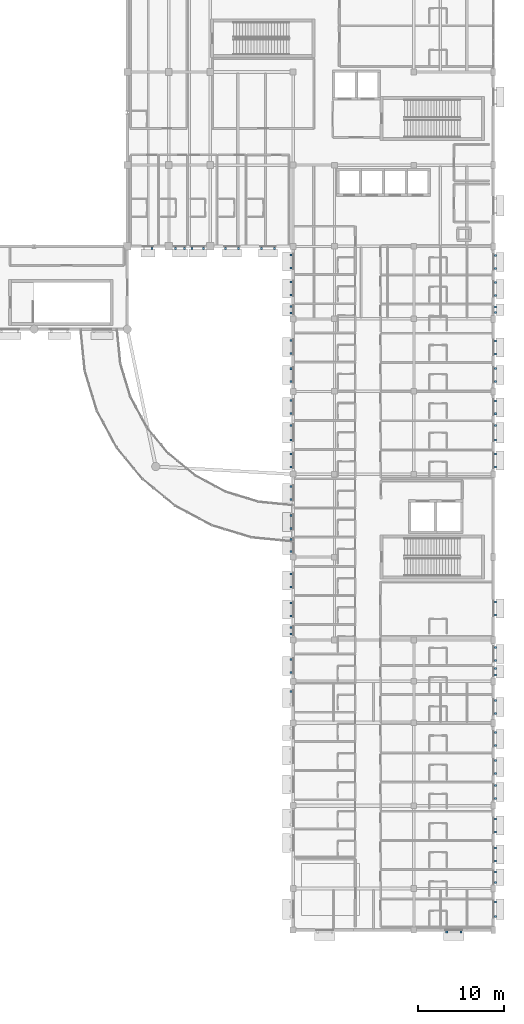
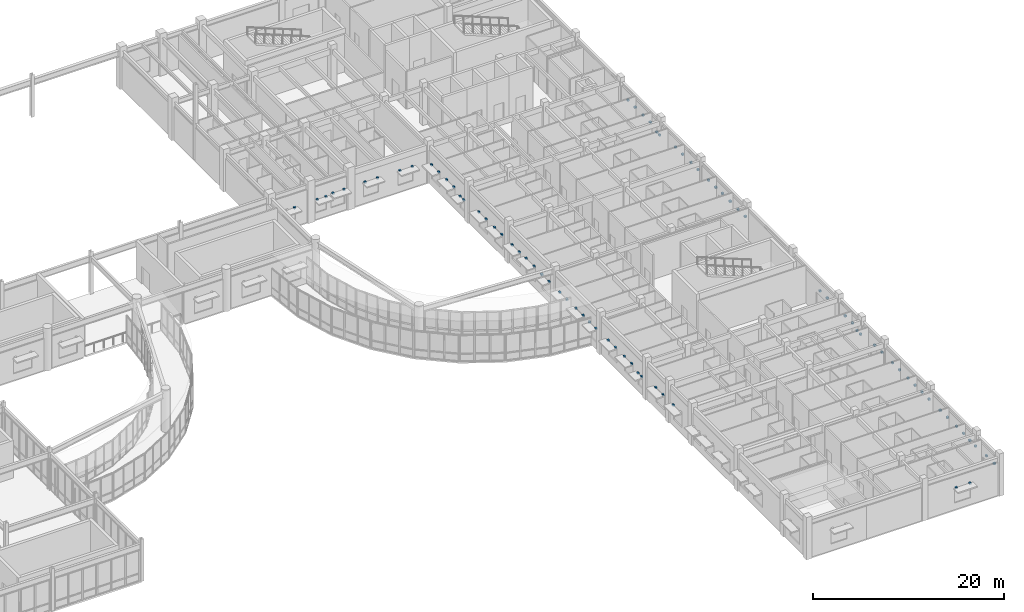
# One storey, part 61 of 68: 80 discrete accessories.
"""IFC4 building model written with IfcOpenShell, lengths in metres."""

from ifc_helpers import new_model, si_unit, direction, frame, origin, origin_2d, place, context, subcontext, project, spatial, rectangle, extrude, material, type_object, element, save


model = new_model("IFC4")

# Units and contexts
model_context = context("Model", 3, precision=1e-05, world=origin(), true_north=direction((0.0, 1.0)))
body_context = subcontext(model_context, "Body", "Model", "MODEL_VIEW")
ifc_project = project(units=[si_unit("LENGTHUNIT", "METRE"), si_unit("AREAUNIT", "SQUARE_METRE"), si_unit("VOLUMEUNIT", "CUBIC_METRE"), si_unit("PLANEANGLEUNIT", "RADIAN"), si_unit("MASSUNIT", "GRAM", prefix="KILO")], contexts=[model_context])

# Site, building, storey
site_placement = place(None, origin())
site = spatial("IfcSite", under=ifc_project, at=site_placement, CompositionType="ELEMENT")
building_placement = place(site_placement, origin())
building = spatial("IfcBuilding", under=site, at=building_placement, Name="Veldera Park Congress Hotel", CompositionType="ELEMENT")
storey_placement = place(building_placement, frame((0.0, 0.0, 10.800048828125)))
storey = spatial("IfcBuildingStorey", under=building, at=storey_placement, Name="L02", CompositionType="ELEMENT", Elevation=10.800048828125)

# Discrete accessories
ifc_material = material(Name="Steel ASTM A992 Gr.50", Category="steel")
discrete_accessory_type = type_object("IfcDiscreteAccessoryType", Name="ACC-BRK160", PredefinedType="BRACKET", material=ifc_material)
for number, where, z_axis, x_axis, name in (
    (1, (78.60009765625, -52.449951171875, 2.7197265625), (0.0, 0.0, 1.0), (1.0, 0.0, 0.0), "Shading Steel Outrigger Bracket 126L"),
    (2, (80.25, -52.449951171875, 2.7197265625), (0.0, 0.0, 1.0), (1.0, 0.0, 0.0), "Shading Steel Outrigger Bracket 126R"),
    (3, (84.25, -50.625, 2.7197265625), (0.0, 0.0, 1.0), (0.0, 1.0, 0.0), "Shading Steel Outrigger Bracket 127L"),
    (4, (84.25, -48.97509765625, 2.7197265625), (0.0, 0.0, 1.0), (0.0, 1.0, 0.0), "Shading Steel Outrigger Bracket 127R"),
    (5, (84.25, 4.574951171875, 2.7197265625), (0.0, 0.0, 1.0), (0.0, 1.0, 0.0), "Shading Steel Outrigger Bracket 128L"),
    (6, (84.25, 6.22509765625, 2.7197265625), (0.0, 0.0, 1.0), (0.0, 1.0, 0.0), "Shading Steel Outrigger Bracket 128R"),
    (7, (44.449951171875, 26.75, 2.3701171875), (0.0, 0.0, 1.0), (1.0, 0.0, 0.0), "Shading Steel Outrigger Bracket 131R"),
    (8, (60.550048828125, 6.22509765625, 2.7197265625), (0.0, 0.0, 1.0), (0.0, -1.0, 0.0), "Shading Steel Outrigger Bracket 132L"),
    (9, (60.550048828125, 4.574951171875, 2.7197265625), (0.0, 0.0, 1.0), (0.0, -1.0, 0.0), "Shading Steel Outrigger Bracket 132R"),
    (10, (60.550048828125, -24.549072265625, 2.669921875), (0.0, 0.0, 1.0), (0.0, -1.0, 0.0), "Shading Steel Outrigger Bracket 284L"),
    (11, (60.550048828125, -20.881103515625, 2.669921875), (0.0, 0.0, 1.0), (0.0, -1.0, 0.0), "Shading Steel Outrigger Bracket 285L"),
    (12, (60.550048828125, -22.381103515625, 2.669921875), (0.0, 0.0, 1.0), (0.0, -1.0, 0.0), "Shading Steel Outrigger Bracket 285R"),
    (13, (60.550048828125, -17.166015625, 2.27001953125), (0.0, 0.0, 1.0), (0.0, -1.0, 0.0), "Shading Steel Outrigger Bracket 286L"),
    (14, (60.550048828125, -17.916015625, 2.27001953125), (0.0, 0.0, 1.0), (0.0, -1.0, 0.0), "Shading Steel Outrigger Bracket 286R"),
    (15, (60.550048828125, -14.330078125, 2.669921875), (0.0, 0.0, 1.0), (0.0, -1.0, 0.0), "Shading Steel Outrigger Bracket 287L"),
    (16, (60.550048828125, -15.830078125, 2.669921875), (0.0, 0.0, 1.0), (0.0, -1.0, 0.0), "Shading Steel Outrigger Bracket 287R"),
    (17, (60.550048828125, -10.949951171875, 2.669921875), (0.0, 0.0, 1.0), (0.0, -1.0, 0.0), "Shading Steel Outrigger Bracket 288L"),
    (18, (60.550048828125, -12.449951171875, 2.669921875), (0.0, 0.0, 1.0), (0.0, -1.0, 0.0), "Shading Steel Outrigger Bracket 288R"),
    (19, (60.550048828125, -6.99609375, 2.6201171875), (0.0, 0.0, 1.0), (0.0, -1.0, 0.0), "Shading Steel Outrigger Bracket 289L"),
    (20, (60.550048828125, -8.345947265625, 2.6201171875), (0.0, 0.0, 1.0), (0.0, -1.0, 0.0), "Shading Steel Outrigger Bracket 289R"),
    (21, (60.550048828125, -4.18994140625, 2.669921875), (0.0, 0.0, 1.0), (0.0, -1.0, 0.0), "Shading Steel Outrigger Bracket 290L"),
    (22, (60.550048828125, -5.68994140625, 2.669921875), (0.0, 0.0, 1.0), (0.0, -1.0, 0.0), "Shading Steel Outrigger Bracket 290R"),
    (23, (60.550048828125, -0.81005859375, 2.669921875), (0.0, 0.0, 1.0), (0.0, -1.0, 0.0), "Shading Steel Outrigger Bracket 291L"),
    (24, (60.550048828125, -2.31005859375, 2.669921875), (0.0, 0.0, 1.0), (0.0, -1.0, 0.0), "Shading Steel Outrigger Bracket 291R"),
    (25, (60.550048828125, 2.948974609375, 2.669921875), (0.0, 0.0, 1.0), (0.0, -1.0, 0.0), "Shading Steel Outrigger Bracket 292L"),
    (26, (60.550048828125, 1.448974609375, 2.669921875), (0.0, 0.0, 1.0), (0.0, -1.0, 0.0), "Shading Steel Outrigger Bracket 292R"),
    (27, (60.550048828125, 9.15087890625, 2.669921875), (0.0, 0.0, 1.0), (0.0, -1.0, 0.0), "Shading Steel Outrigger Bracket 293L"),
    (28, (60.550048828125, 7.65087890625, 2.669921875), (0.0, 0.0, 1.0), (0.0, -1.0, 0.0), "Shading Steel Outrigger Bracket 293R"),
    (29, (60.550048828125, 12.819091796875, 2.669921875), (0.0, 0.0, 1.0), (0.0, -1.0, 0.0), "Shading Steel Outrigger Bracket 294L"),
    (30, (60.550048828125, 11.319091796875, 2.669921875), (0.0, 0.0, 1.0), (0.0, -1.0, 0.0), "Shading Steel Outrigger Bracket 294R"),
    (31, (60.550048828125, 16.090087890625, 2.669921875), (0.0, 0.0, 1.0), (0.0, -1.0, 0.0), "Shading Steel Outrigger Bracket 295L"),
    (32, (60.550048828125, 14.590087890625, 2.669921875), (0.0, 0.0, 1.0), (0.0, -1.0, 0.0), "Shading Steel Outrigger Bracket 295R"),
    (33, (60.550048828125, 20.02392578125, 2.27001953125), (0.0, 0.0, 1.0), (0.0, -1.0, 0.0), "Shading Steel Outrigger Bracket 296L"),
    (34, (60.550048828125, 19.27392578125, 2.27001953125), (0.0, 0.0, 1.0), (0.0, -1.0, 0.0), "Shading Steel Outrigger Bracket 296R"),
    (35, (60.550048828125, 22.85009765625, 2.669921875), (0.0, 0.0, 1.0), (0.0, -1.0, 0.0), "Shading Steel Outrigger Bracket 297L"),
    (36, (60.550048828125, 21.35009765625, 2.669921875), (0.0, 0.0, 1.0), (0.0, -1.0, 0.0), "Shading Steel Outrigger Bracket 297R"),
    (37, (60.550048828125, 26.0009765625, 2.669921875), (0.0, 0.0, 1.0), (0.0, -1.0, 0.0), "Shading Steel Outrigger Bracket 298L"),
    (38, (60.550048828125, 24.5009765625, 2.669921875), (0.0, 0.0, 1.0), (0.0, -1.0, 0.0), "Shading Steel Outrigger Bracket 298R"),
    (39, (84.25, -46.7060546875, 2.56982421875), (0.0, 0.0, 1.0), (0.0, 1.0, 0.0), "Shading Steel Outrigger Bracket 299L"),
    (40, (84.25, -45.506103515625, 2.56982421875), (0.0, 0.0, 1.0), (0.0, 1.0, 0.0), "Shading Steel Outrigger Bracket 299R"),
    (41, (84.25, -44.2099609375, 2.669921875), (0.0, 0.0, 1.0), (0.0, 1.0, 0.0), "Shading Steel Outrigger Bracket 300L"),
    (42, (84.25, -42.7099609375, 2.669921875), (0.0, 0.0, 1.0), (0.0, 1.0, 0.0), "Shading Steel Outrigger Bracket 300R"),
    (43, (84.25, -40.830078125, 2.669921875), (0.0, 0.0, 1.0), (0.0, 1.0, 0.0), "Shading Steel Outrigger Bracket 301L"),
    (44, (84.25, -39.330078125, 2.669921875), (0.0, 0.0, 1.0), (0.0, 1.0, 0.0), "Shading Steel Outrigger Bracket 301R"),
    (45, (84.25, -36.986083984375, 2.669921875), (0.0, 0.0, 1.0), (0.0, 1.0, 0.0), "Shading Steel Outrigger Bracket 302L"),
    (46, (84.25, -35.486083984375, 2.669921875), (0.0, 0.0, 1.0), (0.0, 1.0, 0.0), "Shading Steel Outrigger Bracket 302R"),
    (47, (84.25, -34.070068359375, 2.669921875), (0.0, 0.0, 1.0), (0.0, 1.0, 0.0), "Shading Steel Outrigger Bracket 303L"),
    (48, (84.25, -32.570068359375, 2.669921875), (0.0, 0.0, 1.0), (0.0, 1.0, 0.0), "Shading Steel Outrigger Bracket 303R"),
    (49, (84.25, -30.833984375, 2.669921875), (0.0, 0.0, 1.0), (0.0, 1.0, 0.0), "Shading Steel Outrigger Bracket 304L"),
    (50, (84.25, -29.333984375, 2.669921875), (0.0, 0.0, 1.0), (0.0, 1.0, 0.0), "Shading Steel Outrigger Bracket 304R"),
    (51, (84.25, -27.115966796875, 2.669921875), (0.0, 0.0, 1.0), (0.0, 1.0, 0.0), "Shading Steel Outrigger Bracket 305L"),
    (52, (84.25, -25.615966796875, 2.669921875), (0.0, 0.0, 1.0), (0.0, 1.0, 0.0), "Shading Steel Outrigger Bracket 305R"),
    (53, (84.25, -22.65087890625, 2.27001953125), (0.0, 0.0, 1.0), (0.0, 1.0, 0.0), "Shading Steel Outrigger Bracket 306L"),
    (54, (84.25, -21.90087890625, 2.27001953125), (0.0, 0.0, 1.0), (0.0, 1.0, 0.0), "Shading Steel Outrigger Bracket 306R"),
    (55, (84.25, -20.964111328125, 2.669921875), (0.0, 0.0, 1.0), (0.0, 1.0, 0.0), "Shading Steel Outrigger Bracket 307L"),
    (56, (84.25, -19.464111328125, 2.669921875), (0.0, 0.0, 1.0), (0.0, 1.0, 0.0), "Shading Steel Outrigger Bracket 307R"),
    (57, (84.25, -15.7099609375, 2.669921875), (0.0, 0.0, 1.0), (0.0, 1.0, 0.0), "Shading Steel Outrigger Bracket 308L"),
    (58, (84.25, -14.2099609375, 2.669921875), (0.0, 0.0, 1.0), (0.0, 1.0, 0.0), "Shading Steel Outrigger Bracket 308R"),
    (59, (84.25, 1.4541015625, 2.669921875), (0.0, 0.0, 1.0), (0.0, 1.0, 0.0), "Shading Steel Outrigger Bracket 309L"),
    (60, (84.25, 2.9541015625, 2.669921875), (0.0, 0.0, 1.0), (0.0, 1.0, 0.0), "Shading Steel Outrigger Bracket 309R"),
    (61, (84.25, 7.60595703125, 2.669921875), (0.0, 0.0, 1.0), (0.0, 1.0, 0.0), "Shading Steel Outrigger Bracket 310L"),
    (62, (84.25, 9.10595703125, 2.669921875), (0.0, 0.0, 1.0), (0.0, 1.0, 0.0), "Shading Steel Outrigger Bracket 310R"),
    (63, (84.25, 11.323974609375, 2.669921875), (0.0, 0.0, 1.0), (0.0, 1.0, 0.0), "Shading Steel Outrigger Bracket 311L"),
    (64, (84.25, 12.823974609375, 2.669921875), (0.0, 0.0, 1.0), (0.0, 1.0, 0.0), "Shading Steel Outrigger Bracket 311R"),
    (65, (84.25, 14.550048828125, 2.669921875), (0.0, 0.0, 1.0), (0.0, 1.0, 0.0), "Shading Steel Outrigger Bracket 312L"),
    (66, (84.25, 16.050048828125, 2.669921875), (0.0, 0.0, 1.0), (0.0, 1.0, 0.0), "Shading Steel Outrigger Bracket 312R"),
    (67, (84.25, 19.35400390625, 2.2197265625), (0.0, 0.0, 1.0), (0.0, 1.0, 0.0), "Shading Steel Outrigger Bracket 313L"),
    (68, (84.25, 19.9541015625, 2.2197265625), (0.0, 0.0, 1.0), (0.0, 1.0, 0.0), "Shading Steel Outrigger Bracket 313R"),
    (69, (84.25, 21.31005859375, 2.669921875), (0.0, 0.0, 1.0), (0.0, 1.0, 0.0), "Shading Steel Outrigger Bracket 314L"),
    (70, (84.25, 22.81005859375, 2.669921875), (0.0, 0.0, 1.0), (0.0, 1.0, 0.0), "Shading Steel Outrigger Bracket 314R"),
    (71, (84.25, 24.4560546875, 2.669921875), (0.0, 0.0, 1.0), (0.0, 1.0, 0.0), "Shading Steel Outrigger Bracket 315L"),
    (72, (84.25, 25.9560546875, 2.669921875), (0.0, 0.0, 1.0), (0.0, 1.0, 0.0), "Shading Steel Outrigger Bracket 315R"),
    (73, (47.181396484375, 26.75, 2.4697265625), (0.0, 0.0, 1.0), (1.0, 0.0, 0.0), "Shading Steel Outrigger Bracket 316L"),
    (74, (48.2314453125, 26.75, 2.4697265625), (0.0, 0.0, 1.0), (1.0, 0.0, 0.0), "Shading Steel Outrigger Bracket 316R"),
    (75, (49.068603515625, 26.75, 2.6201171875), (0.0, 0.0, 1.0), (1.0, 0.0, 0.0), "Shading Steel Outrigger Bracket 317L"),
    (76, (50.41845703125, 26.75, 2.6201171875), (0.0, 0.0, 1.0), (1.0, 0.0, 0.0), "Shading Steel Outrigger Bracket 317R"),
    (77, (52.969970703125, 26.75, 2.669921875), (0.0, 0.0, 1.0), (1.0, 0.0, 0.0), "Shading Steel Outrigger Bracket 318L"),
    (78, (54.469970703125, 26.75, 2.669921875), (0.0, 0.0, 1.0), (1.0, 0.0, 0.0), "Shading Steel Outrigger Bracket 318R"),
    (79, (57.14990234375, 26.75, 2.669921875), (0.0, 0.0, 1.0), (1.0, 0.0, 0.0), "Shading Steel Outrigger Bracket 319L"),
    (80, (58.64990234375, 26.75, 2.669921875), (0.0, 0.0, 1.0), (1.0, 0.0, 0.0), "Shading Steel Outrigger Bracket 319R"),
):
    element("IfcDiscreteAccessory", number, at=place(storey_placement, frame(where, z_axis=z_axis, x_axis=x_axis)), inside=storey, type_object=discrete_accessory_type, Name=name, PredefinedType="BRACKET", context=body_context, shape_type="SweptSolid", body=[
        extrude(rectangle(XDim=0.239990234375, YDim=0.239990234375, at=origin_2d()), origin(), (0.0, 0.0, 1.0), 0.219970703125),
    ])

save(model, "model.ifc")
